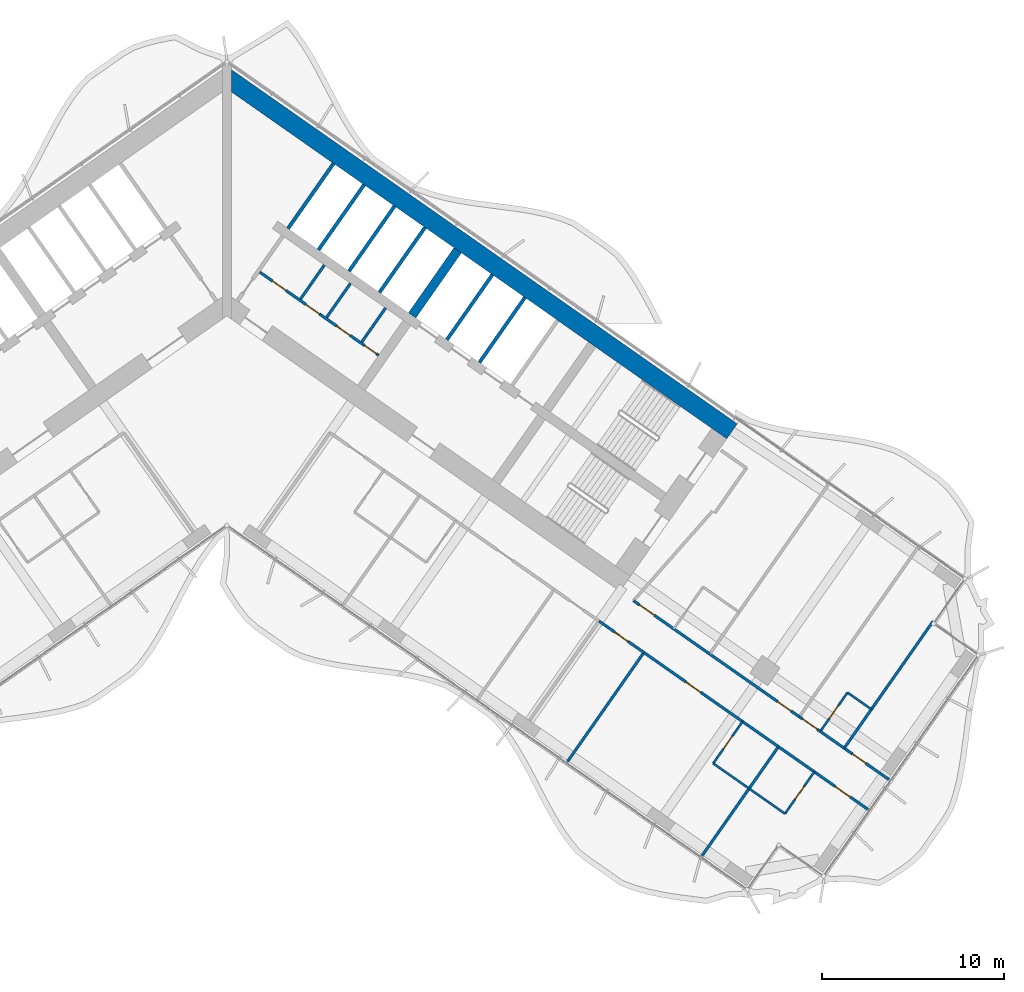
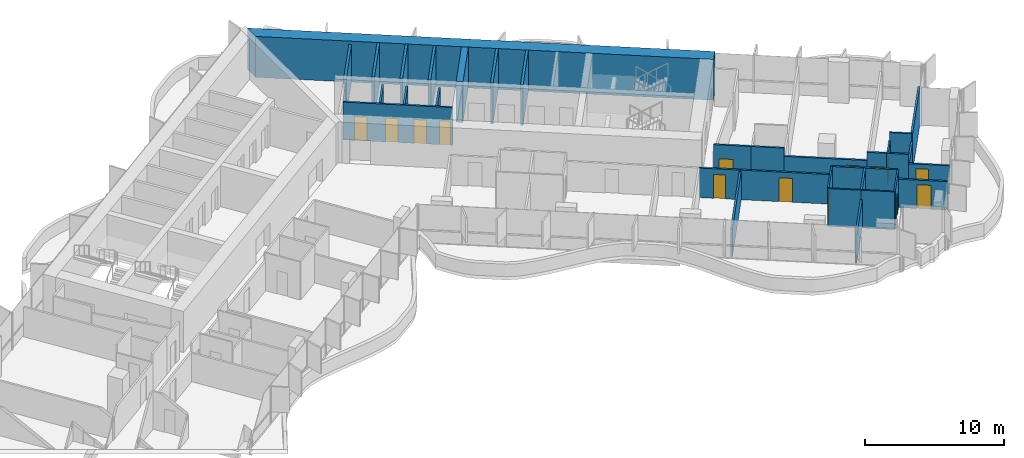
# One storey, part 15 of 23: 34 walls, 14 doors, 14 openings.
"""IFC4 building model written with IfcOpenShell, lengths in metres."""

from ifc_helpers import new_model, si_unit, direction, frame, frame_2d, origin, place, context, subcontext, project, spatial, polyline, rectangle, outline, extrude, material, layer, layer_set, type_object, element, fill, save


model = new_model("IFC4")

# Units and contexts
model_context = context("Model", 3, precision=1e-05, world=origin(), true_north=direction((0.0, 1.0)))
body_context = subcontext(model_context, "Body", "Model", "MODEL_VIEW")
ifc_project = project(units=[si_unit("LENGTHUNIT", "METRE"), si_unit("AREAUNIT", "SQUARE_METRE"), si_unit("VOLUMEUNIT", "CUBIC_METRE"), si_unit("PLANEANGLEUNIT", "RADIAN"), si_unit("MASSUNIT", "GRAM", prefix="KILO")], contexts=[model_context])

# Site, building, storey
site_placement = place(None, origin())
site = spatial("IfcSite", under=ifc_project, at=site_placement, CompositionType="ELEMENT")
building_placement = place(site_placement, origin())
building = spatial("IfcBuilding", under=site, at=building_placement, Name="Tel Ilan Convention Tower", CompositionType="ELEMENT")
storey_placement = place(building_placement, frame((0.0, 0.0, 86.89990234375)))
storey = spatial("IfcBuildingStorey", under=building, at=storey_placement, Name="L17", CompositionType="ELEMENT", Elevation=86.89990234375)

# Wall, openings, doors
ifc_material_1 = material(Name="Gypsum Plasterboard on Steel Stud", Category="steel")
ifc_layer_1 = layer(ifc_material_1, 0.14990234375)
ifc_layer_set_1 = layer_set([ifc_layer_1], Name="Core Room Partition Wall 150 mm EI 60")
wall_type_1 = type_object("IfcWallType", Name="Core Room Partition Wall 150 mm EI 60", PredefinedType="PARTITIONING", material=ifc_layer_set_1)
wall_1_placement = place(storey_placement, frame((1.802490234375, 1.179443359375, 0.0), z_axis=(0.0, 0.0, 1.0), x_axis=(0.819142461705, -0.573590121456, 0.0)))
wall_1 = element("IfcWall", 1, at=wall_1_placement, inside=storey, type_object=wall_type_1, Name="L17 core wall wc-h1", PredefinedType="PARTITIONING", context=body_context, shape_type="SweptSolid", body=[
    extrude(rectangle(XDim=7.949951171875, YDim=0.14990234375, at=frame_2d((3.97509765625, 0.0))), origin(), (0.0, 0.0, 1.0), 3.320068359375),
])
opening_1_placement = place(wall_1_placement, frame((0.85009765625, 0.0, 0.0)))
opening_1 = element("IfcOpeningElement", 2, at=opening_1_placement, cuts=wall_1, Name="Opening CD1511", PredefinedType="OPENING", context=body_context, shape_type="SweptSolid", body=[
    extrude(rectangle(XDim=0.89990234375, YDim=2.10009765625, at=frame_2d((0.449951171875, 1.050048828125))), frame((0.0, 0.0849609375, 0.0), z_axis=(0.0, -1.0, 0.0), x_axis=(1.0, 0.0, 0.0)), (0.0, 0.0, 1.0), 0.169921875),
])
opening_2_placement = place(wall_1_placement, frame((3.10009765625, 0.0, 0.0)))
opening_2 = element("IfcOpeningElement", 3, at=opening_2_placement, cuts=wall_1, Name="Opening CD1508", PredefinedType="OPENING", context=body_context, shape_type="SweptSolid", body=[
    extrude(rectangle(XDim=0.89990234375, YDim=2.10009765625, at=frame_2d((0.449951171875, 1.050048828125))), frame((0.0, 0.0849609375, 0.0), z_axis=(0.0, -1.0, 0.0), x_axis=(1.0, 0.0, 0.0)), (0.0, 0.0, 1.0), 0.169921875),
])
opening_3_placement = place(wall_1_placement, frame((5.14990234375, 0.0, 0.0)))
opening_3 = element("IfcOpeningElement", 4, at=opening_3_placement, cuts=wall_1, Name="Opening CD1510", PredefinedType="OPENING", context=body_context, shape_type="SweptSolid", body=[
    extrude(rectangle(XDim=0.89990234375, YDim=2.10009765625, at=frame_2d((0.449951171875, 1.050048828125))), frame((0.0, 0.0849609375, 0.0), z_axis=(0.0, -1.0, 0.0), x_axis=(1.0, 0.0, 0.0)), (0.0, 0.0, 1.0), 0.169921875),
])
opening_4_placement = place(wall_1_placement, frame((7.0, 0.0, 0.0)))
opening_4 = element("IfcOpeningElement", 5, at=opening_4_placement, cuts=wall_1, Name="Opening CD1509", PredefinedType="OPENING", context=body_context, shape_type="SweptSolid", body=[
    extrude(rectangle(XDim=0.800048828125, YDim=2.10009765625, at=frame_2d((0.39990234375, 1.050048828125))), frame((0.0, 0.0849609375, 0.0), z_axis=(0.0, -1.0, 0.0), x_axis=(1.0, 0.0, 0.0)), (0.0, 0.0, 1.0), 0.169921875),
])
ifc_material_2 = material(Name="Galvanised Steel Door Leaf", Category="steel")
door_type_1 = type_object("IfcDoorType", Name="Store Door 800 x 2100 FD60", OperationType="NOTDEFINED", PredefinedType="DOOR", material=ifc_material_2)
door_1_placement = place(opening_4_placement, origin())
door_1 = element("IfcDoor", 6, at=door_1_placement, inside=storey, type_object=door_type_1, Name="Cleaner's store door", OperationType="SINGLE_SWING_RIGHT", OverallHeight=2.10009765625, OverallWidth=0.800048828125, PredefinedType="DOOR", context=body_context, shape_type="SweptSolid", body=[
    extrude(rectangle(XDim=0.800048828125, YDim=2.10009765625, at=frame_2d((0.39990234375, 1.050048828125))), frame((0.0, 0.02490234375, 0.0), z_axis=(0.0, -1.0, 0.0), x_axis=(1.0, 0.0, 0.0)), (0.0, 0.0, 1.0), 0.050048828125),
])
fill(opening_4, door_1)
ifc_material_3 = material(Name="Laminated Timber Door Leaf", Category="wood")
door_type_2 = type_object("IfcDoorType", Name="Toilet Door 900 x 2100 FD30S", OperationType="NOTDEFINED", PredefinedType="DOOR", material=ifc_material_3)
door_2_placement = place(opening_1_placement, origin())
door_2 = element("IfcDoor", 7, at=door_2_placement, inside=storey, type_object=door_type_2, Name="Women's WC door", OperationType="SINGLE_SWING_RIGHT", OverallHeight=2.10009765625, OverallWidth=0.89990234375, PredefinedType="DOOR", context=body_context, shape_type="SweptSolid", body=[
    extrude(rectangle(XDim=0.89990234375, YDim=2.10009765625, at=frame_2d((0.449951171875, 1.050048828125))), frame((0.0, 0.02490234375, 0.0), z_axis=(0.0, -1.0, 0.0), x_axis=(1.0, 0.0, 0.0)), (0.0, 0.0, 1.0), 0.050048828125),
])
fill(opening_1, door_2)
door_3_placement = place(opening_2_placement, origin())
door_3 = element("IfcDoor", 8, at=door_3_placement, inside=storey, type_object=door_type_2, Name="Accessible WC door", OperationType="SINGLE_SWING_RIGHT", OverallHeight=2.10009765625, OverallWidth=0.89990234375, PredefinedType="DOOR", context=body_context, shape_type="SweptSolid", body=[
    extrude(rectangle(XDim=0.89990234375, YDim=2.10009765625, at=frame_2d((0.449951171875, 1.050048828125))), frame((0.0, 0.02490234375, 0.0), z_axis=(0.0, -1.0, 0.0), x_axis=(1.0, 0.0, 0.0)), (0.0, 0.0, 1.0), 0.050048828125),
])
fill(opening_2, door_3)
door_4_placement = place(opening_3_placement, origin())
door_4 = element("IfcDoor", 9, at=door_4_placement, inside=storey, type_object=door_type_2, Name="Men's WC door", OperationType="SINGLE_SWING_RIGHT", OverallHeight=2.10009765625, OverallWidth=0.89990234375, PredefinedType="DOOR", context=body_context, shape_type="SweptSolid", body=[
    extrude(rectangle(XDim=0.89990234375, YDim=2.10009765625, at=frame_2d((0.449951171875, 1.050048828125))), frame((0.0, 0.02490234375, 0.0), z_axis=(0.0, -1.0, 0.0), x_axis=(1.0, 0.0, 0.0)), (0.0, 0.0, 1.0), 0.050048828125),
])
fill(opening_3, door_4)

# Walls
for number, where, z_axis, x_axis, name in (
    (10, (4.03662109375, -0.29345703125, 0.0), (0.0, 0.0, 1.0), (0.573599181114, 0.819136117764, 0.0), "L17 core wall wc-v0"),
    (11, (5.47021484375, -1.297119140625, 0.0), (0.0, 0.0, 1.0), (0.573599181114, 0.819136117764, 0.0), "L17 core wall wc-v1"),
    (12, (7.395263671875, -2.64501953125, 0.0), (0.0, 0.0, 1.0), (0.573599181114, 0.819136117764, 0.0), "L17 core wall wc-v2"),
):
    element("IfcWall", number, at=place(storey_placement, frame(where, z_axis=z_axis, x_axis=x_axis)), inside=storey, type_object=wall_type_1, Name=name, PredefinedType="PARTITIONING", context=body_context, shape_type="SweptSolid", body=[
        extrude(rectangle(XDim=2.27490234375, YDim=0.14990234375, at=frame_2d((1.137451171875, 0.0))), origin(), (0.0, 0.0, 1.0), 3.320068359375),
    ])
ifc_material_4 = material(Name="Concrete C30/37", Category="concrete")
ifc_layer_2 = layer(ifc_material_4, 0.199951171875)
ifc_layer_set_2 = layer_set([ifc_layer_2], Name="Core Service Room Wall 200 mm C30/37")
wall_type_2 = type_object("IfcWallType", Name="Core Service Room Wall 200 mm C30/37", PredefinedType="SOLIDWALL", material=ifc_layer_set_2)
wall_2_placement = place(storey_placement, frame((3.355224609375, 3.5712890625, 0.0), z_axis=(0.0, 0.0, 1.0), x_axis=(0.57356780395, 0.819158088694, 0.0)))
element("IfcWall", 13, at=wall_2_placement, inside=storey, type_object=wall_type_2, Name="L17 core wall apex-E-b", PredefinedType="SOLIDWALL", context=body_context, shape_type="SweptSolid", body=[
    extrude(rectangle(XDim=4.35009765625, YDim=0.199951171875, at=frame_2d((2.175048828125, 0.0))), origin(), (0.0, 0.0, 1.0), 3.320068359375),
])
ifc_material_5 = material(Name="Concrete C60/75", Category="concrete")
ifc_layer_3 = layer(ifc_material_5, 1.0)
ifc_layer_set_3 = layer_set([ifc_layer_3], Name="Core Shear Wall 1000 mm C60/75")
wall_type_3 = type_object("IfcWallType", Name="Core Shear Wall 1000 mm C60/75", PredefinedType="SHEAR", material=ifc_layer_set_3)
wall_3_placement = place(storey_placement, frame((-0.036865234375, 11.8671875, 0.0), z_axis=(0.0, 0.0, 1.0), x_axis=(0.819155306259, -0.573571777746, 0.0)))
element("IfcWall", 14, at=wall_3_placement, inside=storey, type_object=wall_type_3, Name="L17 core wall E-back", PredefinedType="SHEAR", context=body_context, shape_type="SweptSolid", body=[
    extrude(outline(polyline([(33.8369140625, 0.5), (0.0, 0.5), (0.7001953125, -0.499755859375), (33.8369140625, -0.5), (33.8369140625, 0.5)])), origin(), (0.0, 0.0, 1.0), 3.60009765625),
])
ifc_material_6 = material(Name="Concrete C60/75", Category="concrete")
ifc_layer_4 = layer(ifc_material_6, 0.5)
ifc_layer_set_4 = layer_set([ifc_layer_4], Name="Core Shear Wall 500 mm C60/75")
wall_type_4 = type_object("IfcWallType", Name="Core Shear Wall 500 mm C60/75", PredefinedType="SHEAR", material=ifc_layer_set_4)
wall_4_placement = place(storey_placement, frame((10.154296875, -1.189208984375, 0.0), z_axis=(0.0, 0.0, 1.0), x_axis=(0.573594173421, 0.819139624372, 0.0)))
element("IfcWall", 15, at=wall_4_placement, inside=storey, type_object=wall_type_4, Name="L17 core wall E-cross1-2", PredefinedType="SHEAR", context=body_context, shape_type="SweptSolid", body=[
    extrude(outline(polyline([(4.349853515625, -0.25), (4.349853515625, 0.25), (-0.000244140625, 0.25), (-0.000244140625, -0.25), (4.349853515625, -0.25)])), origin(), (0.0, 0.0, 1.0), 3.60009765625),
])

# Wall, opening, door
ifc_material_7 = material(Name="Plasterboard on Steel Studs", Category="steel")
ifc_layer_5 = layer(ifc_material_7, 0.14990234375)
ifc_layer_set_5 = layer_set([ifc_layer_5], Name="Fire-rated Partition 150 EI 60")
wall_type_5 = type_object("IfcWallType", Name="Fire-rated Partition 150 EI 60", PredefinedType="PARTITIONING", material=ifc_layer_set_5)
wall_5_placement = place(storey_placement, frame((22.28369140625, -16.823974609375, 0.0), z_axis=(0.0, 0.0, 1.0), x_axis=(0.819176640776, -0.573541307325, 0.0)))
wall_5 = element("IfcWall", 16, at=wall_5_placement, inside=storey, type_object=wall_type_5, Name="Partition 001", PredefinedType="PARTITIONING", context=body_context, shape_type="SweptSolid", body=[
    extrude(rectangle(XDim=2.697509765625, YDim=0.14990234375, at=frame_2d((1.3486328125, 0.0))), origin(), (0.0, 0.0, 1.0), 3.320068359375),
])
opening_5_placement = place(wall_5_placement, frame((0.396240234375, 0.0, 0.0)))
opening_5 = element("IfcOpeningElement", 17, at=opening_5_placement, cuts=wall_5, Name="Opening L15-031", PredefinedType="OPENING", context=body_context, shape_type="SweptSolid", body=[
    extrude(rectangle(XDim=1.0, YDim=2.10009765625, at=frame_2d((0.5, 1.050048828125))), frame((0.0, 0.0849609375, 0.0), z_axis=(0.0, -1.0, 0.0), x_axis=(1.0, 0.0, 0.0)), (0.0, 0.0, 1.0), 0.169921875),
])
ifc_material_8 = material(Name="Timber Door Leaf in Steel Frame", Category="steel")
door_type_3 = type_object("IfcDoorType", Name="Hotel Room Entrance Fire Door 1000x2100", OperationType="NOTDEFINED", PredefinedType="DOOR", material=ifc_material_8)
door_5_placement = place(opening_5_placement, origin())
door_5 = element("IfcDoor", 18, at=door_5_placement, inside=storey, type_object=door_type_3, Name="Door L15-031", OperationType="SINGLE_SWING_LEFT", OverallHeight=2.10009765625, OverallWidth=1.0, PredefinedType="DOOR", context=body_context, shape_type="SweptSolid", body=[
    extrude(rectangle(XDim=1.0, YDim=2.10009765625, at=frame_2d((0.5, 1.050048828125))), frame((0.0, 0.02490234375, 0.0), z_axis=(0.0, -1.0, 0.0), x_axis=(1.0, 0.0, 0.0)), (0.0, 0.0, 1.0), 0.050048828125),
])
fill(opening_5, door_5)

# Wall
wall_6_placement = place(storey_placement, frame((24.49072265625, -18.369384765625, 0.0), z_axis=(0.0, 0.0, 1.0), x_axis=(0.819179439794, -0.573537309527, 0.0)))
element("IfcWall", 19, at=wall_6_placement, inside=storey, type_object=wall_type_5, Name="Partition 002", PredefinedType="PARTITIONING", context=body_context, shape_type="SweptSolid", body=[
    extrude(rectangle(XDim=2.404296875, YDim=0.14990234375, at=frame_2d((1.2021484375, 0.0))), origin(), (0.0, 0.0, 1.0), 3.320068359375),
])

# Wall, opening, door
wall_7_placement = place(storey_placement, frame((26.456787109375, -19.74609375, 0.0), z_axis=(0.0, 0.0, 1.0), x_axis=(0.819165052243, -0.573557858619, 0.0)))
wall_7 = element("IfcWall", 20, at=wall_7_placement, inside=storey, type_object=wall_type_5, Name="Partition 003", PredefinedType="PARTITIONING", context=body_context, shape_type="SweptSolid", body=[
    extrude(rectangle(XDim=6.00390625, YDim=0.14990234375, at=frame_2d((3.001953125, 0.0))), origin(), (0.0, 0.0, 1.0), 2.60009765625),
])
opening_6_placement = place(wall_7_placement, frame((4.552001953125, 0.0, 0.0)))
opening_6 = element("IfcOpeningElement", 21, at=opening_6_placement, cuts=wall_7, Name="Opening L15-032", PredefinedType="OPENING", context=body_context, shape_type="SweptSolid", body=[
    extrude(rectangle(XDim=0.89990234375, YDim=2.10009765625, at=frame_2d((0.449951171875, 1.050048828125))), frame((0.0, 0.0849609375, 0.0), z_axis=(0.0, -1.0, 0.0), x_axis=(1.0, 0.0, 0.0)), (0.0, 0.0, 1.0), 0.169921875),
])
ifc_material_9 = material(Name="Timber Door Leaf in Steel Frame", Category="steel")
door_type_4 = type_object("IfcDoorType", Name="Room Fire Door 900x2100", OperationType="NOTDEFINED", PredefinedType="DOOR", material=ifc_material_9)
door_6_placement = place(opening_6_placement, origin())
door_6 = element("IfcDoor", 22, at=door_6_placement, inside=storey, type_object=door_type_4, Name="Door L15-032", OperationType="SINGLE_SWING_RIGHT", OverallHeight=2.10009765625, OverallWidth=0.89990234375, PredefinedType="DOOR", context=body_context, shape_type="SweptSolid", body=[
    extrude(rectangle(XDim=0.89990234375, YDim=2.10009765625, at=frame_2d((0.449951171875, 1.050048828125))), frame((0.0, 0.02490234375, 0.0), z_axis=(0.0, -1.0, 0.0), x_axis=(1.0, 0.0, 0.0)), (0.0, 0.0, 1.0), 0.050048828125),
])
fill(opening_6, door_6)

wall_8_placement = place(storey_placement, frame((31.37158203125, -23.1875, 0.0), z_axis=(0.0, 0.0, 1.0), x_axis=(0.819199220913, -0.573509055252, 0.0)))
wall_8 = element("IfcWall", 23, at=wall_8_placement, inside=storey, type_object=wall_type_5, Name="Partition 004", PredefinedType="PARTITIONING", context=body_context, shape_type="SweptSolid", body=[
    extrude(rectangle(XDim=1.403076171875, YDim=0.14990234375, at=frame_2d((0.70166015625, 0.0))), origin(), (0.0, 0.0, 1.0), 3.320068359375),
])
opening_7_placement = place(wall_8_placement, frame((0.201904296875, 0.0, 0.0)))
opening_7 = element("IfcOpeningElement", 24, at=opening_7_placement, cuts=wall_8, Name="Opening L15-034", PredefinedType="OPENING", context=body_context, shape_type="SweptSolid", body=[
    extrude(rectangle(XDim=1.0, YDim=2.10009765625, at=frame_2d((0.5, 1.050048828125))), frame((0.0, 0.0849609375, 0.0), z_axis=(0.0, -1.0, 0.0), x_axis=(1.0, 0.0, 0.0)), (0.0, 0.0, 1.0), 0.169921875),
])
door_7_placement = place(opening_7_placement, origin())
door_7 = element("IfcDoor", 25, at=door_7_placement, inside=storey, type_object=door_type_3, Name="Door L15-034", OperationType="SINGLE_SWING_LEFT", OverallHeight=2.10009765625, OverallWidth=1.0, PredefinedType="DOOR", context=body_context, shape_type="SweptSolid", body=[
    extrude(rectangle(XDim=1.0, YDim=2.10009765625, at=frame_2d((0.5, 1.050048828125))), frame((0.0, 0.02490234375, 0.0), z_axis=(0.0, -1.0, 0.0), x_axis=(1.0, 0.0, 0.0)), (0.0, 0.0, 1.0), 0.050048828125),
])
fill(opening_7, door_7)

# Wall
wall_9_placement = place(storey_placement, frame((32.5185546875, -23.990478515625, 0.0), z_axis=(0.0, 0.0, 1.0), x_axis=(0.819189013667, -0.573523634986, 0.0)))
element("IfcWall", 26, at=wall_9_placement, inside=storey, type_object=wall_type_5, Name="Partition 005", PredefinedType="PARTITIONING", context=body_context, shape_type="SweptSolid", body=[
    extrude(rectangle(XDim=1.60400390625, YDim=0.14990234375, at=frame_2d((0.802001953125, 0.0))), origin(), (0.0, 0.0, 1.0), 3.320068359375),
])

# Wall, opening, door
wall_10_placement = place(storey_placement, frame((33.8291015625, -24.908203125, 0.0), z_axis=(0.0, 0.0, 1.0), x_axis=(0.81915932427, -0.57356603932, 0.0)))
wall_10 = element("IfcWall", 27, at=wall_10_placement, inside=storey, type_object=wall_type_5, Name="Partition 006", PredefinedType="PARTITIONING", context=body_context, shape_type="SweptSolid", body=[
    extrude(rectangle(XDim=3.002197265625, YDim=0.14990234375, at=frame_2d((1.5009765625, 0.0))), origin(), (0.0, 0.0, 1.0), 2.5),
])
opening_8_placement = place(wall_10_placement, frame((0.551025390625, 0.0, 0.0)))
opening_8 = element("IfcOpeningElement", 28, at=opening_8_placement, cuts=wall_10, Name="Opening L15-035", PredefinedType="OPENING", context=body_context, shape_type="SweptSolid", body=[
    extrude(rectangle(XDim=0.89990234375, YDim=2.10009765625, at=frame_2d((0.449951171875, 1.050048828125))), frame((0.0, 0.0849609375, 0.0), z_axis=(0.0, -1.0, 0.0), x_axis=(1.0, 0.0, 0.0)), (0.0, 0.0, 1.0), 0.169921875),
])
door_8_placement = place(opening_8_placement, origin())
door_8 = element("IfcDoor", 29, at=door_8_placement, inside=storey, type_object=door_type_4, Name="Door L15-035", OperationType="SINGLE_SWING_LEFT", OverallHeight=2.10009765625, OverallWidth=0.89990234375, PredefinedType="DOOR", context=body_context, shape_type="SweptSolid", body=[
    extrude(rectangle(XDim=0.89990234375, YDim=2.10009765625, at=frame_2d((0.449951171875, 1.050048828125))), frame((0.0, 0.02490234375, 0.0), z_axis=(0.0, -1.0, 0.0), x_axis=(1.0, 0.0, 0.0)), (0.0, 0.0, 1.0), 0.050048828125),
])
fill(opening_8, door_8)

wall_11_placement = place(storey_placement, frame((22.85546875, -19.666015625, 0.0), z_axis=(0.0, 0.0, 1.0), x_axis=(-0.819128818764, 0.573609604409, 0.0)))
wall_11 = element("IfcWall", 30, at=wall_11_placement, inside=storey, type_object=wall_type_5, Name="Partition 012", PredefinedType="PARTITIONING", context=body_context, shape_type="SweptSolid", body=[
    extrude(rectangle(XDim=3.004150390625, YDim=0.14990234375, at=frame_2d((1.501953125, 0.0))), origin(), (0.0, 0.0, 1.0), 2.60009765625),
])
opening_9_placement = place(wall_11_placement, frame((1.052001953125, 0.0, 0.0)))
opening_9 = element("IfcOpeningElement", 31, at=opening_9_placement, cuts=wall_11, Name="Opening L15-025", PredefinedType="OPENING", context=body_context, shape_type="SweptSolid", body=[
    extrude(rectangle(XDim=0.89990234375, YDim=2.10009765625, at=frame_2d((0.449951171875, 1.050048828125))), frame((0.0, 0.0849609375, 0.0), z_axis=(0.0, -1.0, 0.0), x_axis=(1.0, 0.0, 0.0)), (0.0, 0.0, 1.0), 0.169921875),
])
door_9_placement = place(opening_9_placement, origin())
door_9 = element("IfcDoor", 32, at=door_9_placement, inside=storey, type_object=door_type_4, Name="Door L15-025", OperationType="SINGLE_SWING_RIGHT", OverallHeight=2.10009765625, OverallWidth=0.89990234375, PredefinedType="DOOR", context=body_context, shape_type="SweptSolid", body=[
    extrude(rectangle(XDim=0.89990234375, YDim=2.10009765625, at=frame_2d((0.449951171875, 1.050048828125))), frame((0.0, 0.02490234375, 0.0), z_axis=(0.0, -1.0, 0.0), x_axis=(1.0, 0.0, 0.0)), (0.0, 0.0, 1.0), 0.050048828125),
])
fill(opening_9, door_9)

wall_12_placement = place(storey_placement, frame((28.260986328125, -23.450927734375, 0.0), z_axis=(0.0, 0.0, 1.0), x_axis=(-0.819141582452, 0.573591377113, 0.0)))
wall_12 = element("IfcWall", 33, at=wall_12_placement, inside=storey, type_object=wall_type_5, Name="Partition 013", PredefinedType="PARTITIONING", context=body_context, shape_type="SweptSolid", body=[
    extrude(rectangle(XDim=6.602783203125, YDim=0.14990234375, at=frame_2d((3.30126953125, 0.0))), origin(), (0.0, 0.0, 1.0), 2.60009765625),
])
opening_10_placement = place(wall_12_placement, frame((2.801025390625, 0.0, 0.0)))
opening_10 = element("IfcOpeningElement", 34, at=opening_10_placement, cuts=wall_12, Name="Opening L15-027", PredefinedType="OPENING", context=body_context, shape_type="SweptSolid", body=[
    extrude(rectangle(XDim=1.0, YDim=2.10009765625, at=frame_2d((0.5, 1.050048828125))), frame((0.0, 0.0849609375, 0.0), z_axis=(0.0, -1.0, 0.0), x_axis=(1.0, 0.0, 0.0)), (0.0, 0.0, 1.0), 0.169921875),
])
door_10_placement = place(opening_10_placement, origin())
door_10 = element("IfcDoor", 35, at=door_10_placement, inside=storey, type_object=door_type_3, Name="Door L15-027", OperationType="SINGLE_SWING_RIGHT", OverallHeight=2.10009765625, OverallWidth=1.0, PredefinedType="DOOR", context=body_context, shape_type="SweptSolid", body=[
    extrude(rectangle(XDim=1.0, YDim=2.10009765625, at=frame_2d((0.5, 1.050048828125))), frame((0.0, 0.02490234375, 0.0), z_axis=(0.0, -1.0, 0.0), x_axis=(1.0, 0.0, 0.0)), (0.0, 0.0, 1.0), 0.050048828125),
])
fill(opening_10, door_10)

# Wall
wall_13_placement = place(storey_placement, frame((30.227783203125, -24.828125, 0.0), z_axis=(0.0, 0.0, 1.0), x_axis=(-0.819146032251, 0.573585022335, 0.0)))
element("IfcWall", 36, at=wall_13_placement, inside=storey, type_object=wall_type_5, Name="Partition 014", PredefinedType="PARTITIONING", context=body_context, shape_type="SweptSolid", body=[
    extrude(rectangle(XDim=2.404052734375, YDim=0.14990234375, at=frame_2d((1.2021484375, 0.0))), origin(), (0.0, 0.0, 1.0), 3.320068359375),
])

# Wall, opening, door
wall_14_placement = place(storey_placement, frame((35.14111328125, -28.268310546875, 0.0), z_axis=(0.0, 0.0, 1.0), x_axis=(-0.819149096931, 0.573580645591, 0.0)))
wall_14 = element("IfcWall", 37, at=wall_14_placement, inside=storey, type_object=wall_type_5, Name="Partition 015", PredefinedType="PARTITIONING", context=body_context, shape_type="SweptSolid", body=[
    extrude(rectangle(XDim=3.600830078125, YDim=0.14990234375, at=frame_2d((1.80029296875, 0.0))), origin(), (0.0, 0.0, 1.0), 2.5),
])
opening_11_placement = place(wall_14_placement, frame((1.199951171875, 0.0, 0.0)))
opening_11 = element("IfcOpeningElement", 38, at=opening_11_placement, cuts=wall_14, Name="Opening L15-029", PredefinedType="OPENING", context=body_context, shape_type="SweptSolid", body=[
    extrude(rectangle(XDim=1.0, YDim=2.10009765625, at=frame_2d((0.5, 1.050048828125))), frame((0.0, 0.0849609375, 0.0), z_axis=(0.0, -1.0, 0.0), x_axis=(1.0, 0.0, 0.0)), (0.0, 0.0, 1.0), 0.169921875),
])
door_11_placement = place(opening_11_placement, origin())
door_11 = element("IfcDoor", 39, at=door_11_placement, inside=storey, type_object=door_type_3, Name="Door L15-029", OperationType="SINGLE_SWING_RIGHT", OverallHeight=2.10009765625, OverallWidth=1.0, PredefinedType="DOOR", context=body_context, shape_type="SweptSolid", body=[
    extrude(rectangle(XDim=1.0, YDim=2.10009765625, at=frame_2d((0.5, 1.050048828125))), frame((0.0, 0.02490234375, 0.0), z_axis=(0.0, -1.0, 0.0), x_axis=(1.0, 0.0, 0.0)), (0.0, 0.0, 1.0), 0.050048828125),
])
fill(opening_11, door_11)

# Walls
wall_15_placement = place(storey_placement, frame((32.19384765625, -26.20458984375, 0.0), z_axis=(0.0, 0.0, 1.0), x_axis=(-0.819146032251, 0.573585022335, 0.0)))
element("IfcWall", 40, at=wall_15_placement, inside=storey, type_object=wall_type_5, Name="Partition 016", PredefinedType="PARTITIONING", context=body_context, shape_type="SweptSolid", body=[
    extrude(rectangle(XDim=2.404052734375, YDim=0.14990234375, at=frame_2d((1.2021484375, 0.0))), origin(), (0.0, 0.0, 1.0), 3.320068359375),
])
wall_16_placement = place(storey_placement, frame((38.70751953125, -17.94482421875, 0.0), z_axis=(0.0, 0.0, 1.0), x_axis=(-0.573573403315, -0.819154168035, 0.0)))
element("IfcWall", 41, at=wall_16_placement, inside=storey, type_object=wall_type_5, Name="Partition 046", PredefinedType="PARTITIONING", context=body_context, shape_type="SweptSolid", body=[
    extrude(rectangle(XDim=5.901123046875, YDim=0.14990234375, at=frame_2d((2.95068359375, 0.0))), origin(), (0.0, 0.0, 1.0), 3.320068359375),
])
wall_17_placement = place(storey_placement, frame((35.322021484375, -22.779541015625, 0.0), z_axis=(0.0, 0.0, 1.0), x_axis=(-0.573537965655, -0.819178980414, 0.0)))
element("IfcWall", 42, at=wall_17_placement, inside=storey, type_object=wall_type_5, Name="Partition 047", PredefinedType="PARTITIONING", context=body_context, shape_type="SweptSolid", body=[
    extrude(rectangle(XDim=2.60009765625, YDim=0.14990234375, at=frame_2d((1.300048828125, 0.0))), origin(), (0.0, 0.0, 1.0), 2.60009765625),
])
wall_18_placement = place(storey_placement, frame((22.853759765625, -19.664794921875, 0.0), z_axis=(0.0, 0.0, 1.0), x_axis=(-0.573572324301, -0.819154923562, 0.0)))
element("IfcWall", 43, at=wall_18_placement, inside=storey, type_object=wall_type_5, Name="Partition 057", PredefinedType="PARTITIONING", context=body_context, shape_type="SweptSolid", body=[
    extrude(rectangle(XDim=7.2998046875, YDim=0.14990234375, at=frame_2d((3.64990234375, 0.0))), origin(), (0.0, 0.0, 1.0), 2.5),
])
wall_19_placement = place(storey_placement, frame((28.61962890625, -27.121337890625, 0.0), z_axis=(0.0, 0.0, 1.0), x_axis=(-0.573589807488, -0.819142681555, 0.0)))
element("IfcWall", 44, at=wall_19_placement, inside=storey, type_object=wall_type_5, Name="Partition 060", PredefinedType="PARTITIONING", context=body_context, shape_type="SweptSolid", body=[
    extrude(rectangle(XDim=4.4990234375, YDim=0.14990234375, at=frame_2d((2.24951171875, 0.0))), origin(), (0.0, 0.0, 1.0), 2.5),
])
wall_20_placement = place(storey_placement, frame((30.226318359375, -24.826904296875, 0.0), z_axis=(0.0, 0.0, 1.0), x_axis=(-0.573608623498, -0.819129505664, 0.0)))
element("IfcWall", 45, at=wall_20_placement, inside=storey, type_object=wall_type_5, Name="Partition 061", PredefinedType="PARTITIONING", context=body_context, shape_type="SweptSolid", body=[
    extrude(rectangle(XDim=2.800048828125, YDim=0.14990234375, at=frame_2d((1.39990234375, 0.0))), origin(), (0.0, 0.0, 1.0), 3.320068359375),
])
ifc_material_10 = material(Name="Concrete C30/37", Category="concrete")
ifc_layer_6 = layer(ifc_material_10, 0.199951171875)
ifc_layer_set_6 = layer_set([ifc_layer_6], Name="Lift Shaft Wall 200 mm C30/37")
wall_type_6 = type_object("IfcWallType", Name="Lift Shaft Wall 200 mm C30/37", PredefinedType="SOLIDWALL", material=ifc_layer_set_6)
wall_21_placement = place(storey_placement, frame((5.0244140625, 2.402587890625, 0.0), z_axis=(0.0, 0.0, 1.0), x_axis=(0.573530143085, 0.819184457233, 0.0)))
element("IfcWall", 46, at=wall_21_placement, inside=storey, type_object=wall_type_6, Name="L17 core wall bank-E1-p0", PredefinedType="SOLIDWALL", context=body_context, shape_type="SweptSolid", body=[
    extrude(rectangle(XDim=4.35009765625, YDim=0.199951171875, at=frame_2d((2.175048828125, 0.0))), origin(), (0.0, 0.0, 1.0), 3.60009765625),
])
for number, where, z_axis, x_axis, name in (
    (47, (6.693359375, 1.234130859375, 0.0), (0.0, 0.0, 1.0), (0.573594173421, 0.819139624372, 0.0), "L17 core wall bank-E1-p1"),
    (48, (8.3623046875, 0.0654296875, 0.0), (0.0, 0.0, 1.0), (0.573594173421, 0.819139624372, 0.0), "L17 core wall bank-E1-p2"),
    (49, (12.05859375, -2.52294921875, 0.0), (0.0, 0.0, 1.0), (0.573594173421, 0.819139624372, 0.0), "L17 core wall bank-E2-p0"),
):
    element("IfcWall", number, at=place(storey_placement, frame(where, z_axis=z_axis, x_axis=x_axis)), inside=storey, type_object=wall_type_6, Name=name, PredefinedType="SOLIDWALL", context=body_context, shape_type="SweptSolid", body=[
        extrude(rectangle(XDim=4.349853515625, YDim=0.199951171875, at=frame_2d((2.1748046875, 0.0))), origin(), (0.0, 0.0, 1.0), 3.60009765625),
    ])
wall_22_placement = place(storey_placement, frame((13.84033203125, -3.7705078125, 0.0), z_axis=(0.0, 0.0, 1.0), x_axis=(0.57356780395, 0.819158088694, 0.0)))
element("IfcWall", 50, at=wall_22_placement, inside=storey, type_object=wall_type_6, Name="L17 core wall bank-E2-p1", PredefinedType="SOLIDWALL", context=body_context, shape_type="SweptSolid", body=[
    extrude(rectangle(XDim=4.35009765625, YDim=0.199951171875, at=frame_2d((2.175048828125, 0.0))), origin(), (0.0, 0.0, 1.0), 3.60009765625),
])
ifc_material_11 = material(Name="Plasterboard on Steel Studs", Category="steel")
ifc_layer_7 = layer(ifc_material_11, 0.1201171875)
ifc_layer_set_7 = layer_set([ifc_layer_7], Name="Moisture-resistant Partition 120")
wall_type_7 = type_object("IfcWallType", Name="Moisture-resistant Partition 120", PredefinedType="PARTITIONING", material=ifc_layer_set_7)
wall_23_placement = place(storey_placement, frame((35.32275390625, -22.77880859375, 0.0), z_axis=(0.0, 0.0, 1.0), x_axis=(-0.81918174131, 0.573534022273, 0.0)))
element("IfcWall", 51, at=wall_23_placement, inside=storey, type_object=wall_type_7, Name="Partition 044", PredefinedType="PARTITIONING", context=body_context, shape_type="SweptSolid", body=[
    extrude(rectangle(XDim=1.60009765625, YDim=0.1201171875, at=frame_2d((0.800048828125, 0.0))), origin(), (0.0, 0.0, 1.0), 3.320068359375),
])

# Wall, opening, door
wall_24_placement = place(storey_placement, frame((34.010498046875, -21.861328125, 0.0), z_axis=(0.0, 0.0, 1.0), x_axis=(-0.573537965655, -0.819178980414, 0.0)))
wall_24 = element("IfcWall", 52, at=wall_24_placement, inside=storey, type_object=wall_type_7, Name="Partition 045", PredefinedType="PARTITIONING", context=body_context, shape_type="SweptSolid", body=[
    extrude(rectangle(XDim=2.60009765625, YDim=0.1201171875, at=frame_2d((1.300048828125, 0.0))), origin(), (0.0, 0.0, 1.0), 2.60009765625),
])
opening_12_placement = place(wall_24_placement, frame((0.875, 0.0, 0.0)))
opening_12 = element("IfcOpeningElement", 53, at=opening_12_placement, cuts=wall_24, Name="Opening L15-033", PredefinedType="OPENING", context=body_context, shape_type="SweptSolid", body=[
    extrude(rectangle(XDim=0.85009765625, YDim=2.050048828125, at=frame_2d((0.425048828125, 1.02490234375))), frame((0.0, 0.070068359375, 0.0), z_axis=(0.0, -1.0, 0.0), x_axis=(1.0, 0.0, 0.0)), (0.0, 0.0, 1.0), 0.14013671875),
])
ifc_material_12 = material(Name="Timber Door Leaf in Steel Frame", Category="steel")
door_type_5 = type_object("IfcDoorType", Name="Bathroom Timber Door 850x2050", OperationType="NOTDEFINED", PredefinedType="DOOR", material=ifc_material_12)
door_12_placement = place(opening_12_placement, origin())
door_12 = element("IfcDoor", 54, at=door_12_placement, inside=storey, type_object=door_type_5, Name="Door L15-033", OperationType="SINGLE_SWING_RIGHT", OverallHeight=2.050048828125, OverallWidth=0.85009765625, PredefinedType="DOOR", context=body_context, shape_type="SweptSolid", body=[
    extrude(rectangle(XDim=0.85009765625, YDim=2.050048828125, at=frame_2d((0.425048828125, 1.02490234375))), frame((0.0, 0.02490234375, 0.0), z_axis=(0.0, -1.0, 0.0), x_axis=(1.0, 0.0, 0.0)), (0.0, 0.0, 1.0), 0.050048828125),
])
fill(opening_12, door_12)

wall_25_placement = place(storey_placement, frame((28.259521484375, -23.44970703125, 0.0), z_axis=(0.0, 0.0, 1.0), x_axis=(-0.573608623498, -0.819129505664, 0.0)))
wall_25 = element("IfcWall", 55, at=wall_25_placement, inside=storey, type_object=wall_type_7, Name="Partition 058", PredefinedType="PARTITIONING", context=body_context, shape_type="SweptSolid", body=[
    extrude(rectangle(XDim=2.800048828125, YDim=0.1201171875, at=frame_2d((1.39990234375, 0.0))), origin(), (0.0, 0.0, 1.0), 3.320068359375),
])
opening_13_placement = place(wall_25_placement, frame((0.97509765625, 0.0, 0.0)))
opening_13 = element("IfcOpeningElement", 56, at=opening_13_placement, cuts=wall_25, Name="Opening L15-026", PredefinedType="OPENING", context=body_context, shape_type="SweptSolid", body=[
    extrude(rectangle(XDim=0.85009765625, YDim=2.050048828125, at=frame_2d((0.425048828125, 1.02490234375))), frame((0.0, 0.070068359375, 0.0), z_axis=(0.0, -1.0, 0.0), x_axis=(1.0, 0.0, 0.0)), (0.0, 0.0, 1.0), 0.14013671875),
])
door_13_placement = place(opening_13_placement, origin())
door_13 = element("IfcDoor", 57, at=door_13_placement, inside=storey, type_object=door_type_5, Name="Door L15-026", OperationType="SINGLE_SWING_RIGHT", OverallHeight=2.050048828125, OverallWidth=0.85009765625, PredefinedType="DOOR", context=body_context, shape_type="SweptSolid", body=[
    extrude(rectangle(XDim=0.85009765625, YDim=2.050048828125, at=frame_2d((0.425048828125, 1.02490234375))), frame((0.0, 0.02490234375, 0.0), z_axis=(0.0, -1.0, 0.0), x_axis=(1.0, 0.0, 0.0)), (0.0, 0.0, 1.0), 0.050048828125),
])
fill(opening_13, door_13)

# Walls
wall_26_placement = place(storey_placement, frame((26.653564453125, -25.744873046875, 0.0), z_axis=(0.0, 0.0, 1.0), x_axis=(0.819188907105, -0.573523787192, 0.0)))
element("IfcWall", 58, at=wall_26_placement, inside=storey, type_object=wall_type_7, Name="Partition 059", PredefinedType="PARTITIONING", context=body_context, shape_type="SweptSolid", body=[
    extrude(rectangle(XDim=2.39990234375, YDim=0.1201171875, at=frame_2d((1.199951171875, 0.0))), origin(), (0.0, 0.0, 1.0), 3.320068359375),
])
wall_27_placement = place(storey_placement, frame((28.61962890625, -27.121337890625, 0.0), z_axis=(0.0, 0.0, 1.0), x_axis=(0.819141114317, -0.573592045652, 0.0)))
element("IfcWall", 59, at=wall_27_placement, inside=storey, type_object=wall_type_7, Name="Partition 062", PredefinedType="PARTITIONING", context=body_context, shape_type="SweptSolid", body=[
    extrude(rectangle(XDim=2.400146484375, YDim=0.1201171875, at=frame_2d((1.2001953125, 0.0))), origin(), (0.0, 0.0, 1.0), 3.320068359375),
])

# Wall, opening, door
wall_28_placement = place(storey_placement, frame((30.5869140625, -28.497802734375, 0.0), z_axis=(0.0, 0.0, 1.0), x_axis=(0.573608623498, 0.819129505664, 0.0)))
wall_28 = element("IfcWall", 60, at=wall_28_placement, inside=storey, type_object=wall_type_7, Name="Partition 063", PredefinedType="PARTITIONING", context=body_context, shape_type="SweptSolid", body=[
    extrude(rectangle(XDim=2.800048828125, YDim=0.1201171875, at=frame_2d((1.39990234375, 0.0))), origin(), (0.0, 0.0, 1.0), 3.320068359375),
])
opening_14_placement = place(wall_28_placement, frame((0.97509765625, 0.0, 0.0)))
opening_14 = element("IfcOpeningElement", 61, at=opening_14_placement, cuts=wall_28, Name="Opening L15-028", PredefinedType="OPENING", context=body_context, shape_type="SweptSolid", body=[
    extrude(rectangle(XDim=0.85009765625, YDim=2.050048828125, at=frame_2d((0.425048828125, 1.02490234375))), frame((0.0, 0.070068359375, 0.0), z_axis=(0.0, -1.0, 0.0), x_axis=(1.0, 0.0, 0.0)), (0.0, 0.0, 1.0), 0.14013671875),
])
door_14_placement = place(opening_14_placement, origin())
door_14 = element("IfcDoor", 62, at=door_14_placement, inside=storey, type_object=door_type_5, Name="Door L15-028", OperationType="SINGLE_SWING_RIGHT", OverallHeight=2.050048828125, OverallWidth=0.85009765625, PredefinedType="DOOR", context=body_context, shape_type="SweptSolid", body=[
    extrude(rectangle(XDim=0.85009765625, YDim=2.050048828125, at=frame_2d((0.425048828125, 1.02490234375))), frame((0.0, 0.02490234375, 0.0), z_axis=(0.0, -1.0, 0.0), x_axis=(1.0, 0.0, 0.0)), (0.0, 0.0, 1.0), 0.050048828125),
])
fill(opening_14, door_14)

save(model, "model.ifc")
